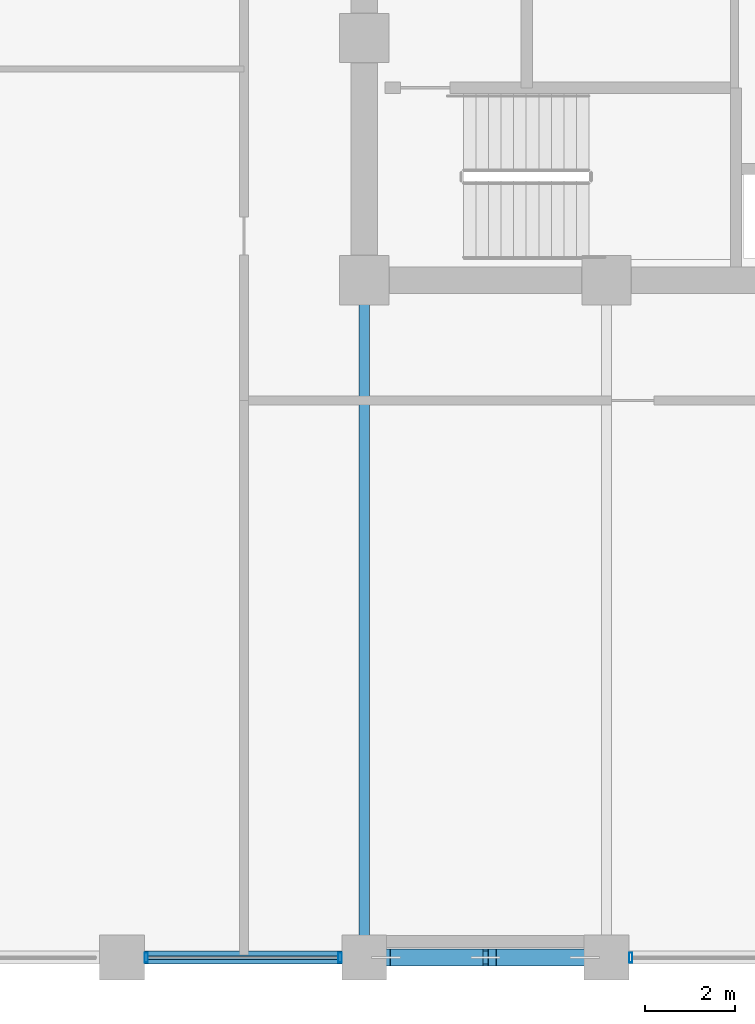
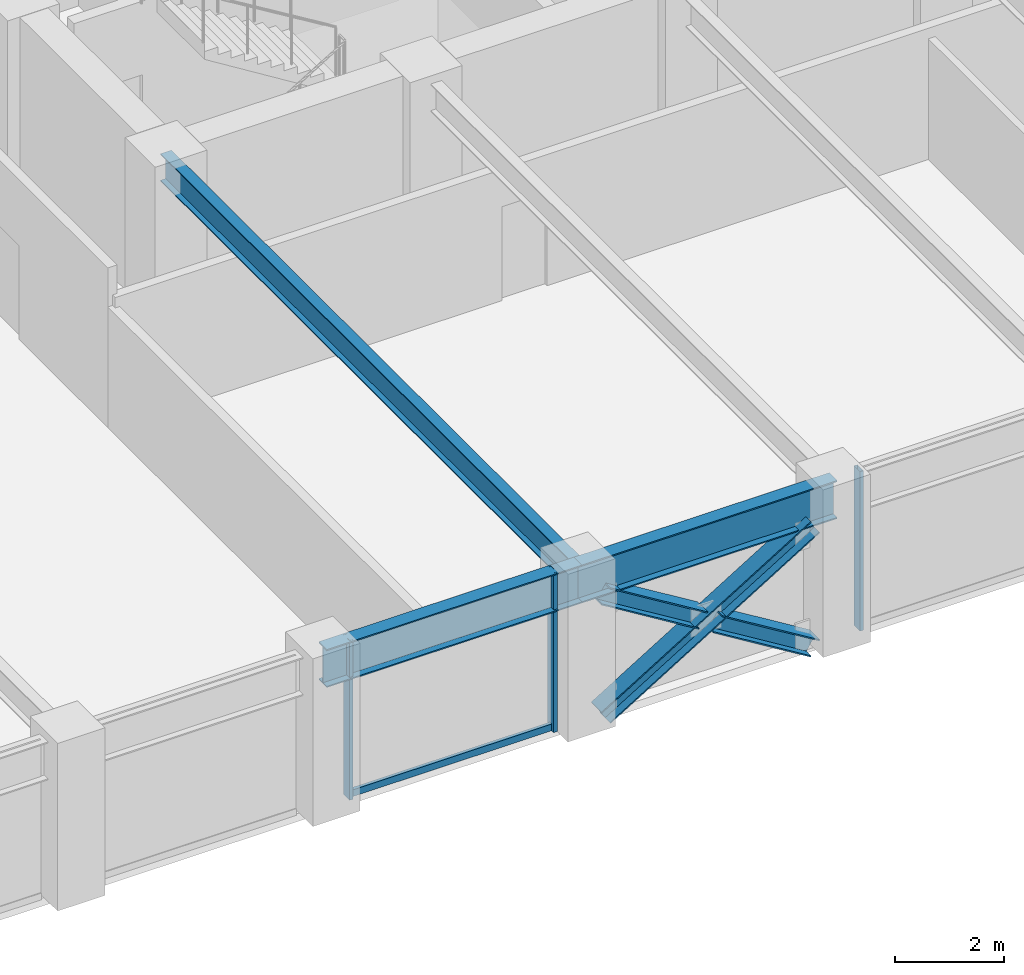
# One storey, part 4 of 26: 7 members, 3 beams, 2 elements without a shape of their own.
"""IFC4 building model written with IfcOpenShell, lengths in metres."""

from ifc_helpers import new_model, si_unit, direction, frame, origin, origin_2d, place, context, subcontext, project, spatial, hollow_rectangle, i_section, extrude, material, layer, layer_set, material_profile, profile_set, type_object, element, aggregate, save


model = new_model("IFC4")

# Units and contexts
model_context = context("Model", 3, precision=1e-05, world=origin(), true_north=direction((0.0, 1.0)))
body_context = subcontext(model_context, "Body", "Model", "MODEL_VIEW")
ifc_project = project(units=[si_unit("LENGTHUNIT", "METRE"), si_unit("AREAUNIT", "SQUARE_METRE"), si_unit("VOLUMEUNIT", "CUBIC_METRE"), si_unit("PLANEANGLEUNIT", "RADIAN"), si_unit("MASSUNIT", "GRAM", prefix="KILO")], contexts=[model_context])

# Site, building, storey
site_placement = place(None, origin())
site = spatial("IfcSite", under=ifc_project, at=site_placement, CompositionType="ELEMENT")
building_placement = place(site_placement, origin())
building = spatial("IfcBuilding", under=site, at=building_placement, Name="Surkhivell Harbour Commons", CompositionType="ELEMENT")
storey_placement = place(building_placement, frame((0.0, 0.0, 143.25)))
storey = spatial("IfcBuildingStorey", under=building, at=storey_placement, Name="L37", CompositionType="ELEMENT", Elevation=143.25)

# Beams
ifc_material_1 = material(Name="Steel S355", Category="steel")
ifc_material_profile_1 = material_profile(ifc_material_1, i_section(OverallWidth=0.22998046875, OverallDepth=0.616943359375, WebThickness=0.01318359375, FlangeThickness=0.022216796875, at=origin_2d()), Name="UB610x229x140")
ifc_profile_set_1 = profile_set([ifc_material_profile_1], Name="Steel S355")
beam_type_1 = type_object("IfcBeamType", Name="BM-GRD-610B", PredefinedType="BEAM", material=ifc_profile_set_1)
beam_1_placement = place(storey_placement, frame((-10.800048828125, -25.89990234375, 3.261474609375), z_axis=(0.0, 1.0, 0.0), x_axis=(-1.0, 0.0, 0.0)))
element("IfcBeam", 1, at=beam_1_placement, inside=storey, type_object=beam_type_1, Name="L37 Floor Girder (-10.8,-25.9)", PredefinedType="BEAM", context=body_context, shape_type="SweptSolid", body=[
    extrude(i_section(OverallWidth=0.22998046875, OverallDepth=0.616943359375, WebThickness=0.01318359375, FlangeThickness=0.022216796875, at=origin_2d()), origin(), (0.0, 0.0, 1.0), 15.099853515625),
])
ifc_material_2 = material(Name="Steel S460", Category="steel")
ifc_material_profile_2 = material_profile(ifc_material_2, i_section(OverallWidth=0.2939453125, OverallDepth=0.85107421875, WebThickness=0.01611328125, FlangeThickness=0.02685546875, at=origin_2d()), Name="UB838x292x226")
ifc_profile_set_2 = profile_set([ifc_material_profile_2], Name="Steel S460")
beam_type_2 = type_object("IfcBeamType", Name="BM-SPN-838", PredefinedType="SPANDREL", material=ifc_profile_set_2)
beam_2_placement = place(storey_placement, frame((-16.199951171875, -25.89990234375, 3.14453125), z_axis=(1.0, 0.0, 0.0), x_axis=(0.0, 1.0, 0.0)))
element("IfcBeam", 2, at=beam_2_placement, inside=storey, type_object=beam_type_2, Name="L37 Tube Spandrel (-16.2,-25.9)", PredefinedType="SPANDREL", context=body_context, shape_type="SweptSolid", body=[
    extrude(i_section(OverallWidth=0.2939453125, OverallDepth=0.85107421875, WebThickness=0.01611328125, FlangeThickness=0.02685546875, at=origin_2d()), origin(), (0.0, 0.0, 1.0), 5.39990234375),
])
beam_3_placement = place(storey_placement, frame((-10.800048828125, -25.89990234375, 3.14453125), z_axis=(1.0, 0.0, 0.0), x_axis=(0.0, 1.0, 0.0)))
element("IfcBeam", 3, at=beam_3_placement, inside=storey, type_object=beam_type_2, Name="L37 Tube Spandrel (-10.8,-25.9)", PredefinedType="SPANDREL", context=body_context, shape_type="SweptSolid", body=[
    extrude(i_section(OverallWidth=0.2939453125, OverallDepth=0.85107421875, WebThickness=0.01611328125, FlangeThickness=0.02685546875, at=origin_2d()), origin(), (0.0, 0.0, 1.0), 5.400146484375),
])

# Curtain wall, members
ifc_material_3 = material(Name="Anodised pale-metal aluminium and insulated glazing", Category="aluminium")
ifc_layer = layer(ifc_material_3, 0.205078125)
ifc_layer_set = layer_set([ifc_layer], Name="Anodised pale-metal aluminium and insulated glazing")
curtain_wall_type = type_object("IfcCurtainWallType", Name="CW-SYS-Z2", PredefinedType="NOTDEFINED", material=ifc_layer_set)
curtain_wall_1_placement = place(storey_placement, origin())
curtain_wall_1 = element("IfcCurtainWall", 4, at=curtain_wall_1_placement, inside=storey, type_object=curtain_wall_type, Name="L37 Curtain Wall CW-L37-E00S1", PredefinedType="NOTDEFINED")
ifc_material_4 = material(Name="Anodised pale-metal aluminium alloy 6063-T6", Category="aluminium")
ifc_material_profile_3 = material_profile(ifc_material_4, hollow_rectangle(XDim=0.074951171875, YDim=0.219970703125, WallThickness=0.00390625, at=origin_2d()), Name="ALU-MULL-75x220")
ifc_profile_set_3 = profile_set([ifc_material_profile_3], Name="Anodised pale-metal aluminium alloy 6063-T6")
member_type_1 = type_object("IfcMemberType", Name="CWM-220", PredefinedType="MULLION", material=ifc_profile_set_3)
member_1_placement = place(storey_placement, frame((-15.660400390625, -25.89990234375, 0.0), z_axis=(0.0, 0.0, 1.0), x_axis=(1.0, 0.0, 0.0)))
member_1 = element("IfcMember", 5, at=member_1_placement, type_object=member_type_1, Name="CW-Z2 mullion 3", PredefinedType="MULLION", context=body_context, shape_type="SweptSolid", body=[
    extrude(hollow_rectangle(XDim=0.074951171875, YDim=0.219970703125, WallThickness=0.00390625, at=origin_2d()), origin(), (0.0, 0.0, 1.0), 3.570068359375),
])
member_2_placement = place(storey_placement, frame((-11.339599609375, -25.89990234375, 0.0), z_axis=(0.0, 0.0, 1.0), x_axis=(1.0, 0.0, 0.0)))
member_2 = element("IfcMember", 6, at=member_2_placement, type_object=member_type_1, Name="CW-Z2 mullion 4", PredefinedType="MULLION", context=body_context, shape_type="SweptSolid", body=[
    extrude(hollow_rectangle(XDim=0.074951171875, YDim=0.219970703125, WallThickness=0.00390625, at=origin_2d()), origin(), (0.0, 0.0, 1.0), 3.570068359375),
])

# Curtain wall, member
curtain_wall_2_placement = place(storey_placement, origin())
curtain_wall_2 = element("IfcCurtainWall", 7, at=curtain_wall_2_placement, inside=storey, type_object=curtain_wall_type, Name="L37 Curtain Wall CW-L37-E00S2", PredefinedType="NOTDEFINED")
member_3_placement = place(storey_placement, frame((-4.860595703125, -25.89990234375, 0.0), z_axis=(0.0, 0.0, 1.0), x_axis=(1.0, 0.0, 0.0)))
member_3 = element("IfcMember", 8, at=member_3_placement, type_object=member_type_1, Name="CW-Z2 mullion 1", PredefinedType="MULLION", context=body_context, shape_type="SweptSolid", body=[
    extrude(hollow_rectangle(XDim=0.074951171875, YDim=0.219970703125, WallThickness=0.00390625, at=origin_2d()), origin(), (0.0, 0.0, 1.0), 3.570068359375),
])
aggregate(curtain_wall_2, [member_3])

# Member
ifc_material_profile_4 = material_profile(ifc_material_4, hollow_rectangle(XDim=0.074951171875, YDim=0.14990234375, WallThickness=0.00341796875, at=origin_2d()), Name="ALU-TRAN-75x150")
ifc_profile_set_4 = profile_set([ifc_material_profile_4], Name="Anodised pale-metal aluminium alloy 6063-T6")
member_type_2 = type_object("IfcMemberType", Name="CWT-150", PredefinedType="USERDEFINED", material=ifc_profile_set_4)
member_4_placement = place(storey_placement, frame((-15.623046875, -25.89990234375, 0.074951171875), z_axis=(1.0, 0.0, 0.0), x_axis=(0.0, 1.0, 0.0)))
member_4 = element("IfcMember", 9, at=member_4_placement, type_object=member_type_2, Name="CW-Z2 transom 3.1", ObjectType="TRANSOM", PredefinedType="USERDEFINED", context=body_context, shape_type="SweptSolid", body=[
    extrude(hollow_rectangle(XDim=0.074951171875, YDim=0.14990234375, WallThickness=0.00341796875, at=origin_2d()), origin(), (0.0, 0.0, 1.0), 4.24609375),
])

aggregate(curtain_wall_1, [member_1, member_2, member_4])

# Members
ifc_material_profile_5 = material_profile(ifc_material_2, i_section(OverallWidth=0.375, OverallDepth=0.375, WebThickness=0.0166015625, FlangeThickness=0.027099609375, at=origin_2d()), Name="UC356x368x202")
ifc_profile_set_5 = profile_set([ifc_material_profile_5], Name="Steel S460")
member_type_3 = type_object("IfcMemberType", Name="MEM-BRC-UC356", PredefinedType="BRACE", material=ifc_profile_set_5)
member_5_placement = place(storey_placement, frame((-10.31494140625, -25.89990234375, 0.008056640625), z_axis=(0.852624888477, 0.0, 0.522523491864), x_axis=(0.0, 1.0, 0.0)))
element("IfcMember", 10, at=member_5_placement, inside=storey, type_object=member_type_3, Name="L37 Perimeter Mega-Brace MB- 07", PredefinedType="BRACE", context=body_context, shape_type="SweptSolid", body=[
    extrude(i_section(OverallWidth=0.375, OverallDepth=0.375, WebThickness=0.0166015625, FlangeThickness=0.027099609375, at=origin_2d()), origin(), (0.0, 0.0, 1.0), 5.195556640625),
])
member_6_placement = place(storey_placement, frame((-5.885009765625, -25.89990234375, 0.008056640625), z_axis=(-0.852617215241, 0.0, 0.52253601242), x_axis=(0.0, -1.0, 0.0)))
element("IfcMember", 11, at=member_6_placement, inside=storey, type_object=member_type_3, Name="L37 Perimeter Mega-Brace MB- 08", PredefinedType="BRACE", context=body_context, shape_type="SweptSolid", body=[
    extrude(i_section(OverallWidth=0.375, OverallDepth=0.375, WebThickness=0.0166015625, FlangeThickness=0.027099609375, at=origin_2d()), origin(), (0.0, 0.0, 1.0), 2.41796875),
])
member_7_placement = place(storey_placement, frame((-8.25341796875, -25.89990234375, 1.459716796875), z_axis=(-0.852662200332, 0.0, 0.522462603567), x_axis=(0.0, -1.0, 0.0)))
element("IfcMember", 12, at=member_7_placement, inside=storey, type_object=member_type_3, Name="L37 Perimeter Mega-Brace MB- 09", PredefinedType="BRACE", context=body_context, shape_type="SweptSolid", body=[
    extrude(i_section(OverallWidth=0.375, OverallDepth=0.375, WebThickness=0.0166015625, FlangeThickness=0.027099609375, at=origin_2d()), origin(), (0.0, 0.0, 1.0), 2.417724609375),
])

save(model, "model.ifc")
